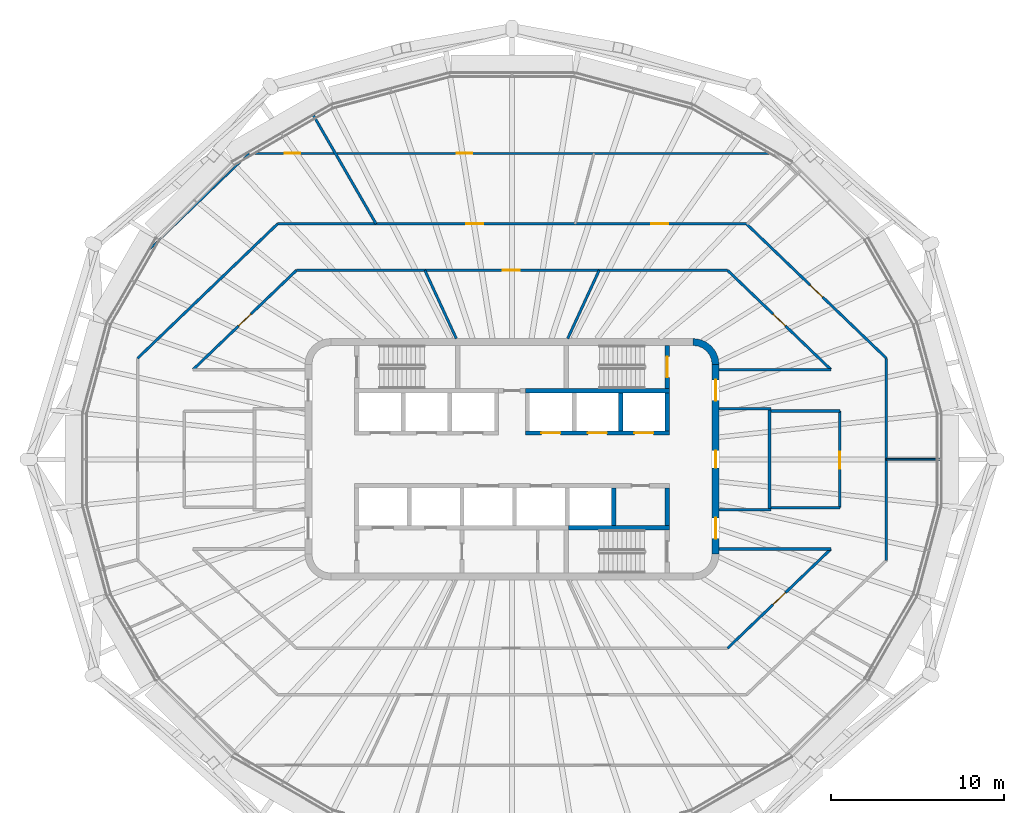
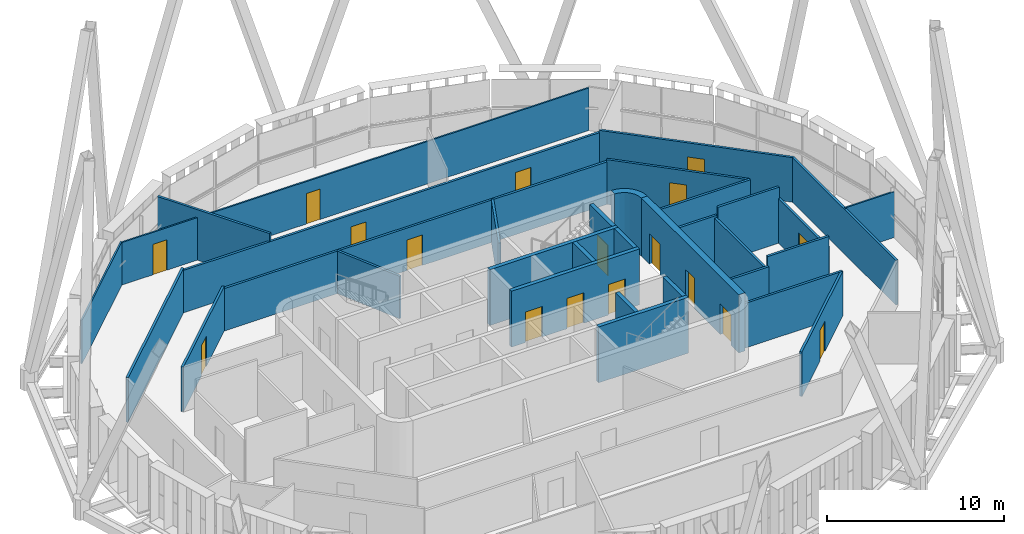
# One storey, part 10 of 18: 32 walls, 17 doors, 17 openings.
"""IFC4 building model written with IfcOpenShell, lengths in metres."""

from ifc_helpers import new_model, si_unit, direction, frame, frame_2d, origin, place, context, subcontext, project, spatial, polyline, rectangle, outline, extrude, material, layer, layer_set, type_object, element, fill, save


model = new_model("IFC4")

# Units and contexts
model_context = context("Model", 3, precision=1e-05, world=origin(), true_north=direction((0.0, 1.0)))
body_context = subcontext(model_context, "Body", "Model", "MODEL_VIEW")
ifc_project = project(units=[si_unit("LENGTHUNIT", "METRE"), si_unit("AREAUNIT", "SQUARE_METRE"), si_unit("VOLUMEUNIT", "CUBIC_METRE"), si_unit("PLANEANGLEUNIT", "RADIAN"), si_unit("MASSUNIT", "GRAM", prefix="KILO")], contexts=[model_context])

# Site, building, storey
site_placement = place(None, origin())
site = spatial("IfcSite", under=ifc_project, at=site_placement, CompositionType="ELEMENT")
building_placement = place(site_placement, origin())
building = spatial("IfcBuilding", under=site, at=building_placement, Name="Sahrelin Media Tower", CompositionType="ELEMENT")
storey_placement = place(building_placement, frame((0.0, 0.0, 316.39990234375)))
storey = spatial("IfcBuildingStorey", under=building, at=storey_placement, Name="L70", CompositionType="ELEMENT", Elevation=316.39990234375)

# Wall, openings, doors
ifc_material_1 = material(Name="Concrete C60/75", Category="concrete")
ifc_layer_1 = layer(ifc_material_1, 0.39990234375)
ifc_layer_set_1 = layer_set([ifc_layer_1], Name="Core wall 400")
wall_type_1 = type_object("IfcWallType", Name="Core wall 400", PredefinedType="SHEAR", material=ifc_layer_set_1)
wall_1_placement = place(storey_placement, frame((11.800048828125, -5.5, 0.0), z_axis=(0.0, 0.0, 1.0), x_axis=(0.0, 1.0, 0.0)))
wall_1 = element("IfcWall", 1, at=wall_1_placement, inside=storey, type_object=wall_type_1, Name="Core wall E L70", PredefinedType="SHEAR", context=body_context, shape_type="SweptSolid", body=[
    extrude(rectangle(XDim=11.0, YDim=0.39990234375, at=frame_2d((5.5, 0.0))), origin(), (0.0, 0.0, 1.0), 4.0),
])
opening_1_placement = place(wall_1_placement, frame((5.0, 0.0, 0.0)))
opening_1 = element("IfcOpeningElement", 2, at=opening_1_placement, cuts=wall_1, Name="Opening L70-D10", PredefinedType="OPENING", context=body_context, shape_type="SweptSolid", body=[
    extrude(rectangle(XDim=1.0, YDim=2.10009765625, at=frame_2d((0.5, 1.050048828125))), frame((0.0, 0.199951171875, 0.0), z_axis=(0.0, -1.0, 0.0), x_axis=(1.0, 0.0, 0.0)), (0.0, 0.0, 1.0), 0.39990234375),
])
opening_2_placement = place(wall_1_placement, frame((0.89990234375, 0.0, 0.0)))
opening_2 = element("IfcOpeningElement", 3, at=opening_2_placement, cuts=wall_1, Name="Opening L70-D13", PredefinedType="OPENING", context=body_context, shape_type="SweptSolid", body=[
    extrude(rectangle(XDim=1.199951171875, YDim=2.10009765625, at=frame_2d((0.60009765625, 1.050048828125))), frame((0.0, 0.199951171875, 0.0), z_axis=(0.0, -1.0, 0.0), x_axis=(1.0, 0.0, 0.0)), (0.0, 0.0, 1.0), 0.39990234375),
])
opening_3_placement = place(wall_1_placement, frame((8.89990234375, 0.0, 0.0)))
opening_3 = element("IfcOpeningElement", 4, at=opening_3_placement, cuts=wall_1, Name="Opening L70-D14", PredefinedType="OPENING", context=body_context, shape_type="SweptSolid", body=[
    extrude(rectangle(XDim=1.199951171875, YDim=2.10009765625, at=frame_2d((0.60009765625, 1.050048828125))), frame((0.0, 0.199951171875, 0.0), z_axis=(0.0, -1.0, 0.0), x_axis=(1.0, 0.0, 0.0)), (0.0, 0.0, 1.0), 0.39990234375),
])
ifc_material_2 = material(Name="Steel fire door leaf", Category="steel")
door_type_1 = type_object("IfcDoorType", Name="Fire door 1000 x 2100 EI 60", OperationType="NOTDEFINED", PredefinedType="DOOR", material=ifc_material_2)
door_1_placement = place(opening_1_placement, origin())
door_1 = element("IfcDoor", 5, at=door_1_placement, inside=storey, type_object=door_type_1, Name="Core room door", OperationType="SINGLE_SWING_RIGHT", OverallHeight=2.10009765625, OverallWidth=1.0, PredefinedType="DOOR", context=body_context, shape_type="SweptSolid", body=[
    extrude(rectangle(XDim=1.0, YDim=2.10009765625, at=frame_2d((0.5, 1.050048828125))), frame((0.0, 0.02490234375, 0.0), z_axis=(0.0, -1.0, 0.0), x_axis=(1.0, 0.0, 0.0)), (0.0, 0.0, 1.0), 0.050048828125),
])
fill(opening_1, door_1)
door_type_2 = type_object("IfcDoorType", Name="Lobby door 1200 x 2100 EI 60", OperationType="NOTDEFINED", PredefinedType="DOOR", material=ifc_material_2)
door_2_placement = place(opening_2_placement, origin())
door_2 = element("IfcDoor", 6, at=door_2_placement, inside=storey, type_object=door_type_2, Name="Lobby door", OperationType="SINGLE_SWING_LEFT", OverallHeight=2.10009765625, OverallWidth=1.199951171875, PredefinedType="DOOR", context=body_context, shape_type="SweptSolid", body=[
    extrude(rectangle(XDim=1.199951171875, YDim=2.10009765625, at=frame_2d((0.60009765625, 1.050048828125))), frame((0.0, 0.02490234375, 0.0), z_axis=(0.0, -1.0, 0.0), x_axis=(1.0, 0.0, 0.0)), (0.0, 0.0, 1.0), 0.050048828125),
])
fill(opening_2, door_2)
door_3_placement = place(opening_3_placement, origin())
door_3 = element("IfcDoor", 7, at=door_3_placement, inside=storey, type_object=door_type_2, Name="Lobby door", OperationType="SINGLE_SWING_LEFT", OverallHeight=2.10009765625, OverallWidth=1.199951171875, PredefinedType="DOOR", context=body_context, shape_type="SweptSolid", body=[
    extrude(rectangle(XDim=1.199951171875, YDim=2.10009765625, at=frame_2d((0.60009765625, 1.050048828125))), frame((0.0, 0.02490234375, 0.0), z_axis=(0.0, -1.0, 0.0), x_axis=(1.0, 0.0, 0.0)), (0.0, 0.0, 1.0), 0.050048828125),
])
fill(opening_3, door_3)

# Walls
wall_2_placement = place(storey_placement, origin())
element("IfcWall", 8, at=wall_2_placement, inside=storey, type_object=wall_type_1, Name="Core wall corner NE L70", PredefinedType="SHEAR", context=body_context, shape_type="SweptSolid", body=[
    extrude(outline(polyline([(10.5, 7.0), (10.5, 6.596435546875), (10.78369140625, 6.55908203125), (11.04833984375, 6.44970703125), (11.275390625, 6.275390625), (11.44970703125, 6.04833984375), (11.55908203125, 5.78369140625), (11.596435546875, 5.5), (12.0, 5.5), (11.948974609375, 5.88818359375), (11.799072265625, 6.25), (11.560791015625, 6.560791015625), (11.25, 6.799072265625), (10.88818359375, 6.948974609375), (10.5, 7.0)])), origin(), (0.0, 0.0, 1.0), 4.0),
])
ifc_material_3 = material(Name="Fire-rated gypsum board partition")
ifc_layer_2 = layer(ifc_material_3, 0.14990234375)
ifc_layer_set_2 = layer_set([ifc_layer_2], Name="Fire-rated partition 150")
wall_type_2 = type_object("IfcWallType", Name="Fire-rated partition 150", PredefinedType="PARTITIONING", material=ifc_layer_set_2)
wall_3_placement = place(storey_placement, frame((14.925048828125, -2.85009765625, 0.0), z_axis=(0.0, 0.0, 1.0), x_axis=(0.0, 1.0, 0.0)))
element("IfcWall", 9, at=wall_3_placement, inside=storey, type_object=wall_type_2, Name="Core room fire partition", PredefinedType="PARTITIONING", context=body_context, shape_type="SweptSolid", body=[
    extrude(rectangle(XDim=5.7001953125, YDim=0.14990234375, at=frame_2d((2.85009765625, 0.0))), origin(), (0.0, 0.0, 1.0), 3.076171875),
])
for number, where, z_axis, x_axis, name in (
    (10, (12.0, 2.925048828125, 0.0), (0.0, 0.0, 1.0), (1.0, 0.0, 0.0), "Core room fire partition"),
    (11, (12.0, -2.925048828125, 0.0), (0.0, 0.0, 1.0), (1.0, 0.0, 0.0), "Core room fire partition"),
):
    element("IfcWall", number, at=place(storey_placement, frame(where, z_axis=z_axis, x_axis=x_axis)), inside=storey, type_object=wall_type_2, Name=name, PredefinedType="PARTITIONING", context=body_context, shape_type="SweptSolid", body=[
        extrude(rectangle(XDim=3.0, YDim=0.14990234375, at=frame_2d((1.5, 0.0))), origin(), (0.0, 0.0, 1.0), 3.2275390625),
    ])
wall_4_placement = place(storey_placement, frame((-5.050048828125, 10.948974609375, 0.0), z_axis=(0.0, 0.0, 1.0), x_axis=(0.418762657012, -0.908095720226, 0.0)))
element("IfcWall", 12, at=wall_4_placement, inside=storey, type_object=wall_type_2, Name="Wall", PredefinedType="PARTITIONING", context=body_context, shape_type="SweptSolid", body=[
    extrude(rectangle(XDim=4.3486328125, YDim=0.14990234375, at=frame_2d((2.17431640625, 0.0))), origin(), (0.0, 0.0, 1.0), 2.927001953125),
])
wall_5_placement = place(storey_placement, frame((-11.528076171875, 19.967041015625, 0.0), z_axis=(0.0, 0.0, 1.0), x_axis=(0.500018883198, -0.86601450129, 0.0)))
element("IfcWall", 13, at=wall_5_placement, inside=storey, type_object=wall_type_2, Name="Wall", PredefinedType="PARTITIONING", context=body_context, shape_type="SweptSolid", body=[
    extrude(rectangle(XDim=7.295654296875, YDim=0.14990234375, at=frame_2d((3.64794921875, 0.0))), origin(), (0.0, 0.0, 1.0), 3.47509765625),
])

# Wall, opening, door
wall_6_placement = place(storey_placement, frame((12.498046875, 10.948974609375, 0.0), z_axis=(0.0, 0.0, 1.0), x_axis=(0.721258572397, -0.692665916401, 0.0)))
wall_6 = element("IfcWall", 14, at=wall_6_placement, inside=storey, type_object=wall_type_2, Name="Wall", PredefinedType="PARTITIONING", context=body_context, shape_type="SweptSolid", body=[
    extrude(rectangle(XDim=8.299560546875, YDim=0.14990234375, at=frame_2d((4.14990234375, 0.0))), origin(), (0.0, 0.0, 1.0), 3.076171875),
])
opening_4_placement = place(wall_6_placement, frame((3.6494140625, 0.0, 0.0)))
opening_4 = element("IfcOpeningElement", 15, at=opening_4_placement, cuts=wall_6, Name="Opening L70-D19", PredefinedType="OPENING", context=body_context, shape_type="SweptSolid", body=[
    extrude(rectangle(XDim=1.0, YDim=2.10009765625, at=frame_2d((0.5, 1.050048828125))), frame((0.0, 0.074951171875, 0.0), z_axis=(0.0, -1.0, 0.0), x_axis=(1.0, 0.0, 0.0)), (0.0, 0.0, 1.0), 0.14990234375),
])
door_4_placement = place(opening_4_placement, origin())
door_4 = element("IfcDoor", 16, at=door_4_placement, inside=storey, type_object=door_type_1, Name="Fire door", OperationType="SINGLE_SWING_RIGHT", OverallHeight=2.10009765625, OverallWidth=1.0, PredefinedType="DOOR", context=body_context, shape_type="SweptSolid", body=[
    extrude(rectangle(XDim=1.0, YDim=2.10009765625, at=frame_2d((0.5, 1.050048828125))), frame((0.0, 0.02490234375, 0.0), z_axis=(0.0, -1.0, 0.0), x_axis=(1.0, 0.0, 0.0)), (0.0, 0.0, 1.0), 0.050048828125),
])
fill(opening_4, door_4)

wall_7_placement = place(storey_placement, frame((13.583984375, 13.64892578125, 0.0), z_axis=(0.0, 0.0, 1.0), x_axis=(0.721271112153, -0.692652858778, 0.0)))
wall_7 = element("IfcWall", 17, at=wall_7_placement, inside=storey, type_object=wall_type_2, Name="Wall", PredefinedType="PARTITIONING", context=body_context, shape_type="SweptSolid", body=[
    extrude(rectangle(XDim=11.252197265625, YDim=0.14990234375, at=frame_2d((5.6259765625, 0.0))), origin(), (0.0, 0.0, 1.0), 3.076171875),
])
opening_5_placement = place(wall_7_placement, frame((5.126220703125, 0.0, 0.0)))
opening_5 = element("IfcOpeningElement", 18, at=opening_5_placement, cuts=wall_7, Name="Opening L70-D32", PredefinedType="OPENING", context=body_context, shape_type="SweptSolid", body=[
    extrude(rectangle(XDim=1.0, YDim=2.10009765625, at=frame_2d((0.5, 1.050048828125))), frame((0.0, 0.074951171875, 0.0), z_axis=(0.0, -1.0, 0.0), x_axis=(1.0, 0.0, 0.0)), (0.0, 0.0, 1.0), 0.14990234375),
])
door_5_placement = place(opening_5_placement, origin())
door_5 = element("IfcDoor", 19, at=door_5_placement, inside=storey, type_object=door_type_1, Name="Fire door", OperationType="SINGLE_SWING_LEFT", OverallHeight=2.10009765625, OverallWidth=1.0, PredefinedType="DOOR", context=body_context, shape_type="SweptSolid", body=[
    extrude(rectangle(XDim=1.0, YDim=2.10009765625, at=frame_2d((0.5, 1.050048828125))), frame((0.0, 0.02490234375, 0.0), z_axis=(0.0, -1.0, 0.0), x_axis=(1.0, 0.0, 0.0)), (0.0, 0.0, 1.0), 0.050048828125),
])
fill(opening_5, door_5)

# Walls
wall_8_placement = place(storey_placement, frame((12.0, -5.199951171875, 0.0), z_axis=(0.0, 0.0, 1.0), x_axis=(1.0, 0.0, 0.0)))
element("IfcWall", 20, at=wall_8_placement, inside=storey, type_object=wall_type_2, Name="Wall", PredefinedType="PARTITIONING", context=body_context, shape_type="SweptSolid", body=[
    extrude(rectangle(XDim=6.48388671875, YDim=0.14990234375, at=frame_2d((3.241943359375, 0.0))), origin(), (0.0, 0.0, 1.0), 3.076171875),
])
for number, where, z_axis, x_axis, name in (
    (21, (15.0, -2.800048828125, 0.0), (0.0, 0.0, 1.0), (1.0, 0.0, 0.0), "Wall"),
    (22, (15.0, 2.800048828125, 0.0), (0.0, 0.0, 1.0), (1.0, 0.0, 0.0), "Wall"),
):
    element("IfcWall", number, at=place(storey_placement, frame(where, z_axis=z_axis, x_axis=x_axis)), inside=storey, type_object=wall_type_2, Name=name, PredefinedType="PARTITIONING", context=body_context, shape_type="SweptSolid", body=[
        extrude(rectangle(XDim=4.0, YDim=0.14990234375, at=frame_2d((2.0, 0.0))), origin(), (0.0, 0.0, 1.0), 3.85009765625),
    ])
wall_9_placement = place(storey_placement, frame((12.0, 5.199951171875, 0.0), z_axis=(0.0, 0.0, 1.0), x_axis=(1.0, 0.0, 0.0)))
element("IfcWall", 23, at=wall_9_placement, inside=storey, type_object=wall_type_2, Name="Wall", PredefinedType="PARTITIONING", context=body_context, shape_type="SweptSolid", body=[
    extrude(rectangle(XDim=6.48388671875, YDim=0.14990234375, at=frame_2d((3.241943359375, 0.0))), origin(), (0.0, 0.0, 1.0), 3.076171875),
])

# Wall, opening, door
wall_10_placement = place(storey_placement, frame((-12.498046875, 10.948974609375, 0.0), z_axis=(0.0, 0.0, 1.0), x_axis=(1.0, 0.0, 0.0)))
wall_10 = element("IfcWall", 24, at=wall_10_placement, inside=storey, type_object=wall_type_2, Name="Wall", PredefinedType="PARTITIONING", context=body_context, shape_type="SweptSolid", body=[
    extrude(rectangle(XDim=24.99609375, YDim=0.14990234375, at=frame_2d((12.498046875, 0.0))), origin(), (0.0, 0.0, 1.0), 2.927001953125),
])
opening_6_placement = place(wall_10_placement, frame((11.947998046875, 0.0, 0.0)))
opening_6 = element("IfcOpeningElement", 25, at=opening_6_placement, cuts=wall_10, Name="Opening L70-D20", PredefinedType="OPENING", context=body_context, shape_type="SweptSolid", body=[
    extrude(rectangle(XDim=1.0, YDim=2.10009765625, at=frame_2d((0.5, 1.050048828125))), frame((0.0, 0.074951171875, 0.0), z_axis=(0.0, -1.0, 0.0), x_axis=(1.0, 0.0, 0.0)), (0.0, 0.0, 1.0), 0.14990234375),
])
door_6_placement = place(opening_6_placement, origin())
door_6 = element("IfcDoor", 26, at=door_6_placement, inside=storey, type_object=door_type_1, Name="Fire door", OperationType="SINGLE_SWING_RIGHT", OverallHeight=2.10009765625, OverallWidth=1.0, PredefinedType="DOOR", context=body_context, shape_type="SweptSolid", body=[
    extrude(rectangle(XDim=1.0, YDim=2.10009765625, at=frame_2d((0.5, 1.050048828125))), frame((0.0, 0.02490234375, 0.0), z_axis=(0.0, -1.0, 0.0), x_axis=(1.0, 0.0, 0.0)), (0.0, 0.0, 1.0), 0.050048828125),
])
fill(opening_6, door_6)

# Wall, openings, doors
wall_11_placement = place(storey_placement, frame((-13.583984375, 13.64892578125, 0.0), z_axis=(0.0, 0.0, 1.0), x_axis=(1.0, 0.0, 0.0)))
wall_11 = element("IfcWall", 27, at=wall_11_placement, inside=storey, type_object=wall_type_2, Name="Wall", PredefinedType="PARTITIONING", context=body_context, shape_type="SweptSolid", body=[
    extrude(rectangle(XDim=27.16796875, YDim=0.14990234375, at=frame_2d((13.583984375, 0.0))), origin(), (0.0, 0.0, 1.0), 2.927001953125),
])
opening_7_placement = place(wall_11_placement, frame((21.65478515625, 0.0, 0.0)))
opening_7 = element("IfcOpeningElement", 28, at=opening_7_placement, cuts=wall_11, Name="Opening L70-D33", PredefinedType="OPENING", context=body_context, shape_type="SweptSolid", body=[
    extrude(rectangle(XDim=1.0, YDim=2.10009765625, at=frame_2d((0.5, 1.050048828125))), frame((0.0, 0.074951171875, 0.0), z_axis=(0.0, -1.0, 0.0), x_axis=(1.0, 0.0, 0.0)), (0.0, 0.0, 1.0), 0.14990234375),
])
opening_8_placement = place(wall_11_placement, frame((10.9228515625, 0.0, 0.0)))
opening_8 = element("IfcOpeningElement", 29, at=opening_8_placement, cuts=wall_11, Name="Opening L70-D34", PredefinedType="OPENING", context=body_context, shape_type="SweptSolid", body=[
    extrude(rectangle(XDim=1.0, YDim=2.10009765625, at=frame_2d((0.5, 1.050048828125))), frame((0.0, 0.074951171875, 0.0), z_axis=(0.0, -1.0, 0.0), x_axis=(1.0, 0.0, 0.0)), (0.0, 0.0, 1.0), 0.14990234375),
])
door_7_placement = place(opening_7_placement, origin())
door_7 = element("IfcDoor", 30, at=door_7_placement, inside=storey, type_object=door_type_1, Name="Fire door", OperationType="SINGLE_SWING_LEFT", OverallHeight=2.10009765625, OverallWidth=1.0, PredefinedType="DOOR", context=body_context, shape_type="SweptSolid", body=[
    extrude(rectangle(XDim=1.0, YDim=2.10009765625, at=frame_2d((0.5, 1.050048828125))), frame((0.0, 0.02490234375, 0.0), z_axis=(0.0, -1.0, 0.0), x_axis=(1.0, 0.0, 0.0)), (0.0, 0.0, 1.0), 0.050048828125),
])
fill(opening_7, door_7)
door_8_placement = place(opening_8_placement, origin())
door_8 = element("IfcDoor", 31, at=door_8_placement, inside=storey, type_object=door_type_1, Name="Fire door", OperationType="SINGLE_SWING_RIGHT", OverallHeight=2.10009765625, OverallWidth=1.0, PredefinedType="DOOR", context=body_context, shape_type="SweptSolid", body=[
    extrude(rectangle(XDim=1.0, YDim=2.10009765625, at=frame_2d((0.5, 1.050048828125))), frame((0.0, 0.02490234375, 0.0), z_axis=(0.0, -1.0, 0.0), x_axis=(1.0, 0.0, 0.0)), (0.0, 0.0, 1.0), 0.050048828125),
])
fill(opening_8, door_8)

# Wall, opening, door
wall_12_placement = place(storey_placement, frame((12.498046875, -10.948974609375, 0.0), z_axis=(0.0, 0.0, 1.0), x_axis=(0.721258572397, 0.692665916401, 0.0)))
wall_12 = element("IfcWall", 32, at=wall_12_placement, inside=storey, type_object=wall_type_2, Name="Wall", PredefinedType="PARTITIONING", context=body_context, shape_type="SweptSolid", body=[
    extrude(rectangle(XDim=8.299560546875, YDim=0.14990234375, at=frame_2d((4.14990234375, 0.0))), origin(), (0.0, 0.0, 1.0), 3.076171875),
])
opening_9_placement = place(wall_12_placement, frame((3.6494140625, 0.0, 0.0)))
opening_9 = element("IfcOpeningElement", 33, at=opening_9_placement, cuts=wall_12, Name="Opening L70-D17", PredefinedType="OPENING", context=body_context, shape_type="SweptSolid", body=[
    extrude(rectangle(XDim=1.0, YDim=2.10009765625, at=frame_2d((0.5, 1.050048828125))), frame((0.0, 0.074951171875, 0.0), z_axis=(0.0, -1.0, 0.0), x_axis=(1.0, 0.0, 0.0)), (0.0, 0.0, 1.0), 0.14990234375),
])
door_9_placement = place(opening_9_placement, origin())
door_9 = element("IfcDoor", 34, at=door_9_placement, inside=storey, type_object=door_type_1, Name="Fire door", OperationType="SINGLE_SWING_RIGHT", OverallHeight=2.10009765625, OverallWidth=1.0, PredefinedType="DOOR", context=body_context, shape_type="SweptSolid", body=[
    extrude(rectangle(XDim=1.0, YDim=2.10009765625, at=frame_2d((0.5, 1.050048828125))), frame((0.0, 0.02490234375, 0.0), z_axis=(0.0, -1.0, 0.0), x_axis=(1.0, 0.0, 0.0)), (0.0, 0.0, 1.0), 0.050048828125),
])
fill(opening_9, door_9)

wall_13_placement = place(storey_placement, frame((-18.48388671875, 5.199951171875, 0.0), z_axis=(0.0, 0.0, 1.0), x_axis=(0.721258572397, 0.692665916401, 0.0)))
wall_13 = element("IfcWall", 35, at=wall_13_placement, inside=storey, type_object=wall_type_2, Name="Wall", PredefinedType="PARTITIONING", context=body_context, shape_type="SweptSolid", body=[
    extrude(rectangle(XDim=8.299560546875, YDim=0.14990234375, at=frame_2d((4.14990234375, 0.0))), origin(), (0.0, 0.0, 1.0), 3.076171875),
])
opening_10_placement = place(wall_13_placement, frame((3.650390625, 0.0, 0.0)))
opening_10 = element("IfcOpeningElement", 36, at=opening_10_placement, cuts=wall_13, Name="Opening L70-D21", PredefinedType="OPENING", context=body_context, shape_type="SweptSolid", body=[
    extrude(rectangle(XDim=1.0, YDim=2.10009765625, at=frame_2d((0.5, 1.050048828125))), frame((0.0, 0.074951171875, 0.0), z_axis=(0.0, -1.0, 0.0), x_axis=(1.0, 0.0, 0.0)), (0.0, 0.0, 1.0), 0.14990234375),
])
door_10_placement = place(opening_10_placement, origin())
door_10 = element("IfcDoor", 37, at=door_10_placement, inside=storey, type_object=door_type_1, Name="Fire door", OperationType="SINGLE_SWING_LEFT", OverallHeight=2.10009765625, OverallWidth=1.0, PredefinedType="DOOR", context=body_context, shape_type="SweptSolid", body=[
    extrude(rectangle(XDim=1.0, YDim=2.10009765625, at=frame_2d((0.5, 1.050048828125))), frame((0.0, 0.02490234375, 0.0), z_axis=(0.0, -1.0, 0.0), x_axis=(1.0, 0.0, 0.0)), (0.0, 0.0, 1.0), 0.050048828125),
])
fill(opening_10, door_10)

# Walls
wall_14_placement = place(storey_placement, frame((-21.699951171875, 5.85498046875, 0.0), z_axis=(0.0, 0.0, 1.0), x_axis=(0.721260272646, 0.692664145963, 0.0)))
element("IfcWall", 38, at=wall_14_placement, inside=storey, type_object=wall_type_2, Name="Wall", PredefinedType="PARTITIONING", context=body_context, shape_type="SweptSolid", body=[
    extrude(rectangle(XDim=11.25244140625, YDim=0.14990234375, at=frame_2d((5.626220703125, 0.0))), origin(), (0.0, 0.0, 1.0), 3.076171875),
])
wall_15_placement = place(storey_placement, frame((3.22900390625, 7.0, 0.0), z_axis=(0.0, 0.0, 1.0), x_axis=(0.418762657012, 0.908095720226, 0.0)))
element("IfcWall", 39, at=wall_15_placement, inside=storey, type_object=wall_type_2, Name="Wall", PredefinedType="PARTITIONING", context=body_context, shape_type="SweptSolid", body=[
    extrude(rectangle(XDim=4.3486328125, YDim=0.14990234375, at=frame_2d((2.17431640625, 0.0))), origin(), (0.0, 0.0, 1.0), 2.927001953125),
])
wall_16_placement = place(storey_placement, frame((21.699951171875, -5.85498046875, 0.0), z_axis=(0.0, 0.0, 1.0), x_axis=(0.0, 1.0, 0.0)))
element("IfcWall", 40, at=wall_16_placement, inside=storey, type_object=wall_type_2, Name="Wall", PredefinedType="PARTITIONING", context=body_context, shape_type="SweptSolid", body=[
    extrude(rectangle(XDim=11.7099609375, YDim=0.14990234375, at=frame_2d((5.85498046875, 0.0))), origin(), (0.0, 0.0, 1.0), 3.076171875),
])

# Wall, opening, door
wall_17_placement = place(storey_placement, frame((19.0, -2.7900390625, 0.0), z_axis=(0.0, 0.0, 1.0), x_axis=(0.0, 1.0, 0.0)))
wall_17 = element("IfcWall", 41, at=wall_17_placement, inside=storey, type_object=wall_type_2, Name="Wall", PredefinedType="PARTITIONING", context=body_context, shape_type="SweptSolid", body=[
    extrude(rectangle(XDim=5.580078125, YDim=0.14990234375, at=frame_2d((2.7900390625, 0.0))), origin(), (0.0, 0.0, 1.0), 3.076171875),
])
opening_11_placement = place(wall_17_placement, frame((2.23876953125, 0.0, 0.0)))
opening_11 = element("IfcOpeningElement", 42, at=opening_11_placement, cuts=wall_17, Name="Opening L70-D18", PredefinedType="OPENING", context=body_context, shape_type="SweptSolid", body=[
    extrude(rectangle(XDim=1.0, YDim=2.10009765625, at=frame_2d((0.5, 1.050048828125))), frame((0.0, 0.074951171875, 0.0), z_axis=(0.0, -1.0, 0.0), x_axis=(1.0, 0.0, 0.0)), (0.0, 0.0, 1.0), 0.14990234375),
])
door_11_placement = place(opening_11_placement, origin())
door_11 = element("IfcDoor", 43, at=door_11_placement, inside=storey, type_object=door_type_1, Name="Fire door", OperationType="SINGLE_SWING_LEFT", OverallHeight=2.10009765625, OverallWidth=1.0, PredefinedType="DOOR", context=body_context, shape_type="SweptSolid", body=[
    extrude(rectangle(XDim=1.0, YDim=2.10009765625, at=frame_2d((0.5, 1.050048828125))), frame((0.0, 0.02490234375, 0.0), z_axis=(0.0, -1.0, 0.0), x_axis=(1.0, 0.0, 0.0)), (0.0, 0.0, 1.0), 0.050048828125),
])
fill(opening_11, door_11)

# Wall, openings, doors
ifc_layer_3 = layer(ifc_material_1, 0.25)
ifc_layer_set_3 = layer_set([ifc_layer_3], Name="Lift shaft wall 250")
wall_type_3 = type_object("IfcWallType", Name="Lift shaft wall 250", PredefinedType="SOLIDWALL", material=ifc_layer_set_3)
wall_18_placement = place(storey_placement, frame((0.77490234375, 1.52490234375, 0.0), z_axis=(0.0, 0.0, 1.0), x_axis=(1.0, 0.0, 0.0)))
wall_18 = element("IfcWall", 44, at=wall_18_placement, inside=storey, type_object=wall_type_3, Name="Lift shaft wall", PredefinedType="SOLIDWALL", context=body_context, shape_type="SweptSolid", body=[
    extrude(rectangle(XDim=8.35009765625, YDim=0.25, at=frame_2d((4.175048828125, 0.0))), origin(), (0.0, 0.0, 1.0), 3.85009765625),
])
opening_12_placement = place(wall_18_placement, frame((0.925048828125, 0.0, 0.0)))
opening_12 = element("IfcOpeningElement", 45, at=opening_12_placement, cuts=wall_18, Name="Opening L70-LD-HR4", PredefinedType="OPENING", context=body_context, shape_type="SweptSolid", body=[
    extrude(rectangle(XDim=1.10009765625, YDim=2.10009765625, at=frame_2d((0.550048828125, 1.050048828125))), frame((0.0, 0.125, 0.0), z_axis=(0.0, -1.0, 0.0), x_axis=(1.0, 0.0, 0.0)), (0.0, 0.0, 1.0), 0.25),
])
opening_13_placement = place(wall_18_placement, frame((3.625, 0.0, 0.0)))
opening_13 = element("IfcOpeningElement", 46, at=opening_13_placement, cuts=wall_18, Name="Opening L70-LD-HR5", PredefinedType="OPENING", context=body_context, shape_type="SweptSolid", body=[
    extrude(rectangle(XDim=1.10009765625, YDim=2.10009765625, at=frame_2d((0.550048828125, 1.050048828125))), frame((0.0, 0.125, 0.0), z_axis=(0.0, -1.0, 0.0), x_axis=(1.0, 0.0, 0.0)), (0.0, 0.0, 1.0), 0.25),
])
opening_14_placement = place(wall_18_placement, frame((6.324951171875, 0.0, 0.0)))
opening_14 = element("IfcOpeningElement", 47, at=opening_14_placement, cuts=wall_18, Name="Opening L70-LD-HR6", PredefinedType="OPENING", context=body_context, shape_type="SweptSolid", body=[
    extrude(rectangle(XDim=1.10009765625, YDim=2.10009765625, at=frame_2d((0.550048828125, 1.050048828125))), frame((0.0, 0.125, 0.0), z_axis=(0.0, -1.0, 0.0), x_axis=(1.0, 0.0, 0.0)), (0.0, 0.0, 1.0), 0.25),
])
ifc_material_4 = material(Name="Stainless steel", Category="steel")
door_type_3 = type_object("IfcDoorType", Name="Lift landing door 1100 x 2100 EI 120", OperationType="DOUBLE_DOOR_SLIDING", PredefinedType="DOOR", material=ifc_material_4)
door_12_placement = place(opening_12_placement, origin())
door_12 = element("IfcDoor", 48, at=door_12_placement, inside=storey, type_object=door_type_3, Name="Lift landing door HR4", OperationType="DOUBLE_DOOR_SLIDING", OverallHeight=2.10009765625, OverallWidth=1.10009765625, PredefinedType="DOOR", context=body_context, shape_type="SweptSolid", body=[
    extrude(rectangle(XDim=1.10009765625, YDim=2.10009765625, at=frame_2d((0.550048828125, 1.050048828125))), frame((0.0, 0.02490234375, 0.0), z_axis=(0.0, -1.0, 0.0), x_axis=(1.0, 0.0, 0.0)), (0.0, 0.0, 1.0), 0.050048828125),
])
fill(opening_12, door_12)
door_13_placement = place(opening_13_placement, origin())
door_13 = element("IfcDoor", 49, at=door_13_placement, inside=storey, type_object=door_type_3, Name="Lift landing door HR5", OperationType="DOUBLE_DOOR_SLIDING", OverallHeight=2.10009765625, OverallWidth=1.10009765625, PredefinedType="DOOR", context=body_context, shape_type="SweptSolid", body=[
    extrude(rectangle(XDim=1.10009765625, YDim=2.10009765625, at=frame_2d((0.550048828125, 1.050048828125))), frame((0.0, 0.02490234375, 0.0), z_axis=(0.0, -1.0, 0.0), x_axis=(1.0, 0.0, 0.0)), (0.0, 0.0, 1.0), 0.050048828125),
])
fill(opening_13, door_13)
door_14_placement = place(opening_14_placement, origin())
door_14 = element("IfcDoor", 50, at=door_14_placement, inside=storey, type_object=door_type_3, Name="Lift landing door HR6", OperationType="DOUBLE_DOOR_SLIDING", OverallHeight=2.10009765625, OverallWidth=1.10009765625, PredefinedType="DOOR", context=body_context, shape_type="SweptSolid", body=[
    extrude(rectangle(XDim=1.10009765625, YDim=2.10009765625, at=frame_2d((0.550048828125, 1.050048828125))), frame((0.0, 0.02490234375, 0.0), z_axis=(0.0, -1.0, 0.0), x_axis=(1.0, 0.0, 0.0)), (0.0, 0.0, 1.0), 0.050048828125),
])
fill(opening_14, door_14)

# Walls
wall_19_placement = place(storey_placement, frame((0.77490234375, 3.97509765625, 0.0), z_axis=(0.0, 0.0, 1.0), x_axis=(1.0, 0.0, 0.0)))
element("IfcWall", 51, at=wall_19_placement, inside=storey, type_object=wall_type_3, Name="Lift shaft wall", PredefinedType="SOLIDWALL", context=body_context, shape_type="SweptSolid", body=[
    extrude(rectangle(XDim=8.35009765625, YDim=0.25, at=frame_2d((4.175048828125, 0.0))), origin(), (0.0, 0.0, 1.0), 3.85009765625),
])
for number, where, z_axis, x_axis, name in (
    (52, (9.0, 1.64990234375, 0.0), (0.0, 0.0, 1.0), (0.0, 1.0, 0.0), "Lift shaft wall"),
    (53, (6.300048828125, 1.64990234375, 0.0), (0.0, 0.0, 1.0), (0.0, 1.0, 0.0), "Lift shaft wall"),
):
    element("IfcWall", number, at=place(storey_placement, frame(where, z_axis=z_axis, x_axis=x_axis)), inside=storey, type_object=wall_type_3, Name=name, PredefinedType="SOLIDWALL", context=body_context, shape_type="SweptSolid", body=[
        extrude(rectangle(XDim=2.2001953125, YDim=0.25, at=frame_2d((1.10009765625, 0.0))), origin(), (0.0, 0.0, 1.0), 3.85009765625),
    ])
wall_20_placement = place(storey_placement, frame((3.27490234375, -3.97509765625, 0.0), z_axis=(0.0, 0.0, 1.0), x_axis=(1.0, 0.0, 0.0)))
element("IfcWall", 54, at=wall_20_placement, inside=storey, type_object=wall_type_3, Name="Lift shaft wall", PredefinedType="SOLIDWALL", context=body_context, shape_type="SweptSolid", body=[
    extrude(rectangle(XDim=5.85009765625, YDim=0.25, at=frame_2d((2.925048828125, 0.0))), origin(), (0.0, 0.0, 1.0), 3.85009765625),
])
for number, where, z_axis, x_axis, name in (
    (55, (5.89990234375, -3.85009765625, 0.0), (0.0, 0.0, 1.0), (0.0, 1.0, 0.0), "Lift shaft wall"),
    (56, (9.0, -3.85009765625, 0.0), (0.0, 0.0, 1.0), (0.0, 1.0, 0.0), "Lift shaft wall"),
):
    element("IfcWall", number, at=place(storey_placement, frame(where, z_axis=z_axis, x_axis=x_axis)), inside=storey, type_object=wall_type_3, Name=name, PredefinedType="SOLIDWALL", context=body_context, shape_type="SweptSolid", body=[
        extrude(rectangle(XDim=2.2001953125, YDim=0.25, at=frame_2d((1.10009765625, 0.0))), origin(), (0.0, 0.0, 1.0), 3.85009765625),
    ])
ifc_material_5 = material(Name="Gypsum board partition")
ifc_layer_4 = layer(ifc_material_5, 0.10009765625)
ifc_layer_set_4 = layer_set([ifc_layer_4], Name="Partition 100")
wall_type_4 = type_object("IfcWallType", Name="Partition 100", PredefinedType="PARTITIONING", material=ifc_layer_set_4)
wall_21_placement = place(storey_placement, frame((21.699951171875, 0.0, 0.0), z_axis=(0.0, 0.0, 1.0), x_axis=(1.0, 0.0, 0.0)))
element("IfcWall", 57, at=wall_21_placement, inside=storey, type_object=wall_type_4, Name="Wall", PredefinedType="PARTITIONING", context=body_context, shape_type="SweptSolid", body=[
    extrude(rectangle(XDim=3.197998046875, YDim=0.10009765625, at=frame_2d((1.59912109375, 0.0))), origin(), (0.0, 0.0, 1.0), 3.152099609375),
])

# Wall, openings, doors
wall_22_placement = place(storey_placement, frame((-15.22607421875, 17.72900390625, 0.0), z_axis=(0.0, 0.0, 1.0), x_axis=(1.0, 0.0, 0.0)))
wall_22 = element("IfcWall", 58, at=wall_22_placement, inside=storey, type_object=wall_type_4, Name="Wall", PredefinedType="PARTITIONING", context=body_context, shape_type="SweptSolid", body=[
    extrude(rectangle(XDim=30.4521484375, YDim=0.10009765625, at=frame_2d((15.22607421875, 0.0))), origin(), (0.0, 0.0, 1.0), 2.927001953125),
])
opening_15_placement = place(wall_22_placement, frame((2.044921875, 0.0, 0.0)))
opening_15 = element("IfcOpeningElement", 59, at=opening_15_placement, cuts=wall_22, Name="Opening L70-D24", PredefinedType="OPENING", context=body_context, shape_type="SweptSolid", body=[
    extrude(rectangle(XDim=0.89990234375, YDim=2.10009765625, at=frame_2d((0.449951171875, 1.050048828125))), frame((0.0, 0.050048828125, 0.0), z_axis=(0.0, -1.0, 0.0), x_axis=(1.0, 0.0, 0.0)), (0.0, 0.0, 1.0), 0.10009765625),
])
opening_16_placement = place(wall_22_placement, frame((12.033447265625, 0.0, 0.0)))
opening_16 = element("IfcOpeningElement", 60, at=opening_16_placement, cuts=wall_22, Name="Opening L70-D35", PredefinedType="OPENING", context=body_context, shape_type="SweptSolid", body=[
    extrude(rectangle(XDim=0.89990234375, YDim=2.10009765625, at=frame_2d((0.449951171875, 1.050048828125))), frame((0.0, 0.050048828125, 0.0), z_axis=(0.0, -1.0, 0.0), x_axis=(1.0, 0.0, 0.0)), (0.0, 0.0, 1.0), 0.10009765625),
])
ifc_material_6 = material(Name="Timber door leaf", Category="wood")
door_type_4 = type_object("IfcDoorType", Name="Single door 900 x 2100", OperationType="NOTDEFINED", PredefinedType="DOOR", material=ifc_material_6)
door_15_placement = place(opening_15_placement, origin())
door_15 = element("IfcDoor", 61, at=door_15_placement, inside=storey, type_object=door_type_4, Name="Single door", OperationType="SINGLE_SWING_LEFT", OverallHeight=2.10009765625, OverallWidth=0.89990234375, PredefinedType="DOOR", context=body_context, shape_type="SweptSolid", body=[
    extrude(rectangle(XDim=0.89990234375, YDim=2.10009765625, at=frame_2d((0.449951171875, 1.050048828125))), frame((0.0, 0.02490234375, 0.0), z_axis=(0.0, -1.0, 0.0), x_axis=(1.0, 0.0, 0.0)), (0.0, 0.0, 1.0), 0.050048828125),
])
fill(opening_15, door_15)
door_16_placement = place(opening_16_placement, origin())
door_16 = element("IfcDoor", 62, at=door_16_placement, inside=storey, type_object=door_type_4, Name="Single door", OperationType="SINGLE_SWING_RIGHT", OverallHeight=2.10009765625, OverallWidth=0.89990234375, PredefinedType="DOOR", context=body_context, shape_type="SweptSolid", body=[
    extrude(rectangle(XDim=0.89990234375, YDim=2.10009765625, at=frame_2d((0.449951171875, 1.050048828125))), frame((0.0, 0.02490234375, 0.0), z_axis=(0.0, -1.0, 0.0), x_axis=(1.0, 0.0, 0.0)), (0.0, 0.0, 1.0), 0.050048828125),
])
fill(opening_16, door_16)

# Wall
wall_23_placement = place(storey_placement, frame((-21.053955078125, 12.132080078125, 0.0), z_axis=(0.0, 0.0, 1.0), x_axis=(0.721283461162, 0.692639999317, 0.0)))
element("IfcWall", 63, at=wall_23_placement, inside=storey, type_object=wall_type_4, Name="Wall", PredefinedType="PARTITIONING", context=body_context, shape_type="SweptSolid", body=[
    extrude(rectangle(XDim=8.080322265625, YDim=0.10009765625, at=frame_2d((4.0400390625, 0.0))), origin(), (0.0, 0.0, 1.0), 2.995361328125),
])

# Wall, opening, door
ifc_layer_5 = layer(ifc_material_1, 0.25)
ifc_layer_set_5 = layer_set([ifc_layer_5], Name="Stair enclosure wall 250")
wall_type_5 = type_object("IfcWallType", Name="Stair enclosure wall 250", PredefinedType="SOLIDWALL", material=ifc_layer_set_5)
wall_24_placement = place(storey_placement, frame((9.0, 4.10009765625, 0.0), z_axis=(0.0, 0.0, 1.0), x_axis=(0.0, 1.0, 0.0)))
wall_24 = element("IfcWall", 64, at=wall_24_placement, inside=storey, type_object=wall_type_5, Name="Stair enclosure wall", PredefinedType="SOLIDWALL", context=body_context, shape_type="SweptSolid", body=[
    extrude(rectangle(XDim=2.5, YDim=0.25, at=frame_2d((1.25, 0.0))), origin(), (0.0, 0.0, 1.0), 3.85009765625),
])
opening_17_placement = place(wall_24_placement, frame((0.64990234375, 0.0, 0.0)))
opening_17 = element("IfcOpeningElement", 65, at=opening_17_placement, cuts=wall_24, Name="Opening L70-D02", PredefinedType="OPENING", context=body_context, shape_type="SweptSolid", body=[
    extrude(rectangle(XDim=1.199951171875, YDim=2.10009765625, at=frame_2d((0.60009765625, 1.050048828125))), frame((0.0, 0.125, 0.0), z_axis=(0.0, -1.0, 0.0), x_axis=(1.0, 0.0, 0.0)), (0.0, 0.0, 1.0), 0.25),
])
door_type_5 = type_object("IfcDoorType", Name="Stair door 1200 x 2100 EI 120", OperationType="NOTDEFINED", PredefinedType="DOOR", material=ifc_material_2)
door_17_placement = place(opening_17_placement, origin())
door_17 = element("IfcDoor", 66, at=door_17_placement, inside=storey, type_object=door_type_5, Name="Stair door ST3", OperationType="SINGLE_SWING_LEFT", OverallHeight=2.10009765625, OverallWidth=1.199951171875, PredefinedType="DOOR", context=body_context, shape_type="SweptSolid", body=[
    extrude(rectangle(XDim=1.199951171875, YDim=2.10009765625, at=frame_2d((0.60009765625, 1.050048828125))), frame((0.0, 0.02490234375, 0.0), z_axis=(0.0, -1.0, 0.0), x_axis=(1.0, 0.0, 0.0)), (0.0, 0.0, 1.0), 0.050048828125),
])
fill(opening_17, door_17)

save(model, "model.ifc")
